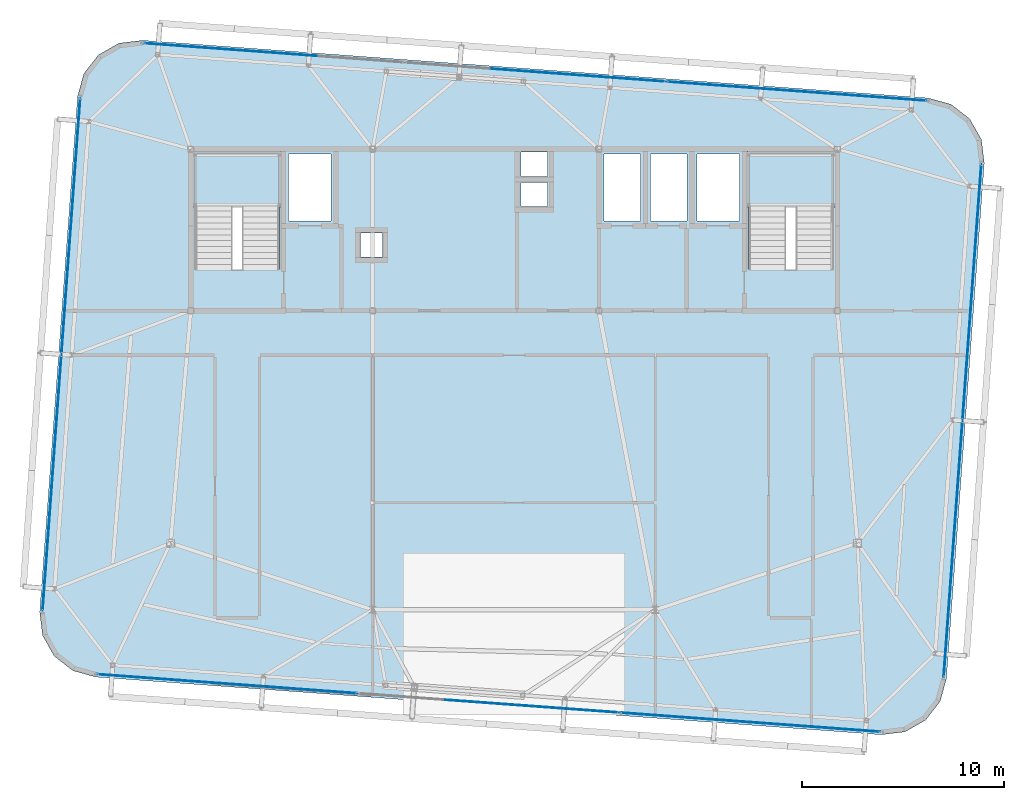
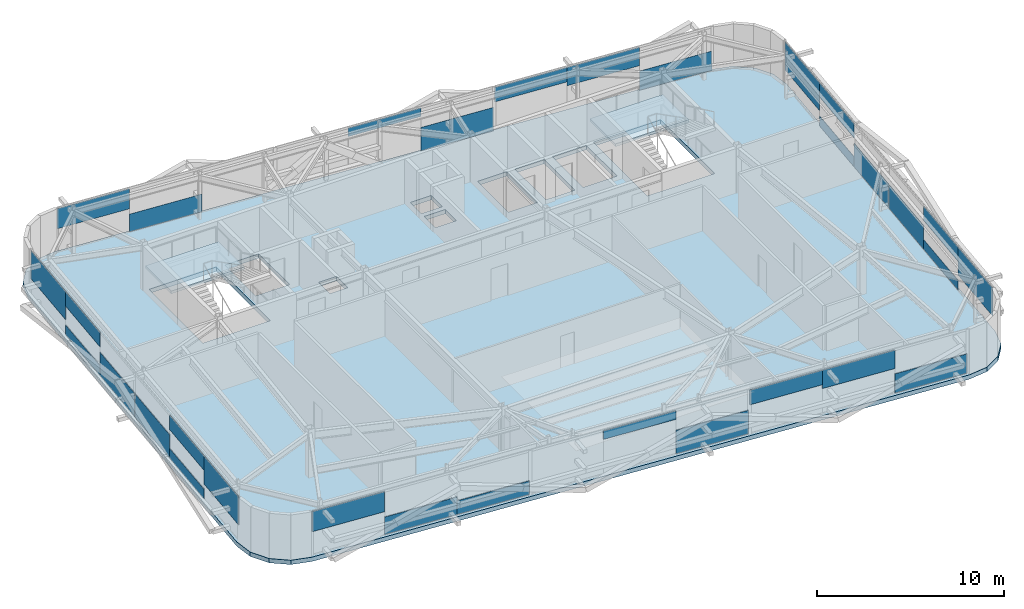
# One storey, part 23 of 35: 31 plates, 3 slabs, 6 elements without a shape of their own.
"""IFC4 building model written with IfcOpenShell, lengths in metres."""

import ifcopenshell
import ifcopenshell.guid

model = None  # the IFC model being written
_history = None  # IfcOwnerHistory: only IFC2X3 demands one
_inside = {}  # id of a spatial element -> (the spatial element, [elements in it])
_under = {}  # id of a project, library or spatial element -> (it, [spatial elements below it])
_declared = {}  # id of a project -> (the project, [libraries it declares])
_typed = {}  # id of a type object -> (the type object, [elements of that type])
_made_of = {}  # id of a material, layer set ... -> (it, [elements and type objects made of it])


def new_model(schema):
    """Start an empty IFC model of exactly this schema.

    Asked for "IFC4X3", IfcOpenShell would pick the latest addendum, in which some entities
    have other attributes; the version numbers below select the first issue.
    IFC2X3 requires an IfcOwnerHistory on every rooted entity: one is made here for all.
    """
    global model, _history
    if schema == "IFC4X3":
        model = ifcopenshell.file(schema_version=(4, 3, 0, 0))
    else:
        model = ifcopenshell.file(schema=schema)
    _inside.clear()
    _under.clear()
    _declared.clear()
    _typed.clear()
    _made_of.clear()
    _history = None
    if model.schema == "IFC2X3":
        org = make("IfcOrganization", Name="unknown")
        user = make(
            "IfcPersonAndOrganization",
            ThePerson=make("IfcPerson", FamilyName="unknown"),
            TheOrganization=org,
        )
        app = make(
            "IfcApplication",
            ApplicationDeveloper=org,
            Version="unknown",
            ApplicationFullName="unknown",
            ApplicationIdentifier="unknown",
        )
        _history = make(
            "IfcOwnerHistory",
            OwningUser=user,
            OwningApplication=app,
            ChangeAction="ADDED",
            CreationDate=0,
        )
    return model


def make(cls, **values):
    """One entity of the class cls with the attributes given. An attribute that is None is left unset."""
    return model.create_entity(
        cls, **{name: value for name, value in values.items() if value is not None}
    )


def rooted(cls, **values):
    """An entity with a GlobalId (a new one), such as an element, a storey or a relation."""
    return make(cls, GlobalId=ifcopenshell.guid.new(), OwnerHistory=_history, **values)


def si_unit(unit_type, name, prefix=None):
    """IfcSIUnit, for example si_unit("LENGTHUNIT", "METRE", prefix="MILLI")."""
    return make("IfcSIUnit", UnitType=unit_type, Prefix=prefix, Name=name)


def assignment(units):
    """IfcUnitAssignment: the units of a project."""
    return None if units is None else make("IfcUnitAssignment", Units=units)


def point(xyz):
    """IfcCartesianPoint."""
    return None if xyz is None else make("IfcCartesianPoint", Coordinates=xyz)


def direction(xyz):
    """IfcDirection."""
    return None if xyz is None else make("IfcDirection", DirectionRatios=xyz)


def frame(location, z_axis=None, x_axis=None):
    """IfcAxis2Placement3D, a coordinate frame: its origin and axes. An axis left out is left unset."""
    return make(
        "IfcAxis2Placement3D",
        Location=point(location),
        Axis=direction(z_axis),
        RefDirection=direction(x_axis),
    )


def frame_2d(location, x_axis=None):
    """IfcAxis2Placement2D, a coordinate frame in the plane: its origin and x axis."""
    return make(
        "IfcAxis2Placement2D", Location=point(location), RefDirection=direction(x_axis)
    )


def origin():
    """The frame at (0, 0, 0) with its axes left unset."""
    return frame((0.0, 0.0, 0.0))


def origin_2d():
    """The frame at (0, 0) in the plane with its x axis left unset."""
    return frame_2d((0.0, 0.0))


def place(relative_to, where):
    """IfcLocalPlacement: puts the frame where relative to a parent placement (None: the world)."""
    return make(
        "IfcLocalPlacement", PlacementRelTo=relative_to, RelativePlacement=where
    )


def context(
    kind, dimensions, precision=None, world=None, true_north=None, identifier=None
):
    """IfcGeometricRepresentationContext, for example the 3D "Model" context."""
    return make(
        "IfcGeometricRepresentationContext",
        ContextIdentifier=identifier,
        ContextType=kind,
        CoordinateSpaceDimension=dimensions,
        Precision=precision,
        WorldCoordinateSystem=world,
        TrueNorth=true_north,
    )


def subcontext(parent, identifier, kind, view, scale=None):
    """IfcGeometricRepresentationSubContext, for example "Body" below "Model"."""
    return make(
        "IfcGeometricRepresentationSubContext",
        ContextIdentifier=identifier,
        ContextType=kind,
        ParentContext=parent,
        TargetScale=scale,
        TargetView=view,
    )


def project(units=None, contexts=None):
    """IfcProject with its units and contexts."""
    return rooted(
        "IfcProject",
        Name="project",
        RepresentationContexts=contexts,
        UnitsInContext=assignment(units),
    )


def spatial(cls, under=None, at=None, **own):
    """A site, building, storey or space (cls), placed at a placement, below another one or the project."""
    s = rooted(cls, ObjectPlacement=at, **own)
    if under is not None:
        _under.setdefault(under.id(), (under, []))[1].append(s)
    return s


def polyline(points):
    """IfcPolyline through the points."""
    return make("IfcPolyline", Points=[point(p) for p in points])


def profile(cls, at=None, kind="AREA", **sizes):
    """A parametric profile (cls). Its sizes go by their IFC names, for example OverallWidth=200.0."""
    return make(cls, ProfileType=kind, Position=at, **sizes)


def rectangle(**sizes):
    """IfcRectangleProfileDef."""
    return profile("IfcRectangleProfileDef", **sizes)


def outline(outer, holes=None, kind="AREA"):
    """IfcArbitraryClosedProfileDef: a profile drawn as a closed curve; with holes, ...WithVoids."""
    if holes is None:
        return make("IfcArbitraryClosedProfileDef", ProfileType=kind, OuterCurve=outer)
    return make(
        "IfcArbitraryProfileDefWithVoids",
        ProfileType=kind,
        OuterCurve=outer,
        InnerCurves=holes,
    )


def extrude(swept, where, along, depth):
    """IfcExtrudedAreaSolid: the profile swept, set in the frame where, extruded along a direction by depth."""
    return make(
        "IfcExtrudedAreaSolid",
        SweptArea=swept,
        Position=where,
        ExtrudedDirection=direction(along),
        Depth=depth,
    )


def shape(context_of_items, identifier, shape_type, items):
    """IfcShapeRepresentation: the items that make up one representation, for example the "Body"."""
    return make(
        "IfcShapeRepresentation",
        ContextOfItems=context_of_items,
        RepresentationIdentifier=identifier,
        RepresentationType=shape_type,
        Items=items,
    )


def source(mapping_origin, context_of_items, identifier, shape_type, items):
    """IfcRepresentationMap: a shape defined once, which mapped items show again and again."""
    return make(
        "IfcRepresentationMap",
        MappingOrigin=mapping_origin,
        MappedRepresentation=shape(context_of_items, identifier, shape_type, items),
    )


def transform(
    local_origin,
    x_axis=None,
    y_axis=None,
    z_axis=None,
    scale=None,
    scale2=None,
    scale3=None,
    uniform=True,
):
    """IfcCartesianTransformationOperator3D, or its non-uniform kind. x_axis, y_axis, z_axis: its Axis1, 2, 3."""
    if uniform:
        return make(
            "IfcCartesianTransformationOperator3D",
            Axis1=direction(x_axis),
            Axis2=direction(y_axis),
            LocalOrigin=point(local_origin),
            Scale=scale,
            Axis3=direction(z_axis),
        )
    return make(
        "IfcCartesianTransformationOperator3DnonUniform",
        Axis1=direction(x_axis),
        Axis2=direction(y_axis),
        LocalOrigin=point(local_origin),
        Scale=scale,
        Axis3=direction(z_axis),
        Scale2=scale2,
        Scale3=scale3,
    )


def mapped(mapping_source, mapping_target):
    """IfcMappedItem: shows the shape of a source again, moved by a transform."""
    return make(
        "IfcMappedItem", MappingSource=mapping_source, MappingTarget=mapping_target
    )


def material(Name=None, Category=None):
    """IfcMaterial."""
    return make("IfcMaterial", Name=Name, Category=Category)


def layer(
    of_material, thickness, ventilated=None, Name=None, Category=None, Priority=None
):
    """IfcMaterialLayer: one layer of a wall or slab, of a material (None: an air gap)."""
    return make(
        "IfcMaterialLayer",
        Material=of_material,
        LayerThickness=thickness,
        IsVentilated=ventilated,
        Name=Name,
        Category=Category,
        Priority=Priority,
    )


def layer_set(layers, Name=None):
    """IfcMaterialLayerSet."""
    return make("IfcMaterialLayerSet", MaterialLayers=layers, LayerSetName=Name)


def made_of(thing, what):
    """Note that an element or type object is made of a material, layer set ...; save() writes the relation."""
    if what is not None:
        _made_of.setdefault(what.id(), (what, []))[1].append(thing)
    return thing


def type_object(cls, material=None, **own):
    """A type object (cls), such as IfcWallType, which elements share."""
    return made_of(rooted(cls, **own), material)


def element(
    cls,
    number,
    at=None,
    inside=None,
    cuts=None,
    type_object=None,
    material=None,
    context=None,
    identifier="Body",
    shape_type=None,
    held_by="IfcProductDefinitionShape",
    body=None,
    shapes=None,
    **own,
):
    """One element of the class cls, such as IfcWall. Its Tag is "e" and its number.

    at: its placement. inside: the storey or other place that contains it. cuts: it is an
    opening in that element (IfcRelVoidsElement). A single representation is given by context,
    identifier, shape_type and body (its items); several are given by shapes. held_by: the class
    of the entity that holds the representations. save() writes the other relations.
    """
    e = rooted(cls, Tag="e%d" % number, ObjectPlacement=at, **own)
    if body is not None:
        shapes = [shape(context, identifier, shape_type, body)]
    if shapes is not None:
        e.Representation = make(held_by, Representations=shapes)
    if inside is not None:
        _inside.setdefault(inside.id(), (inside, []))[1].append(e)
    if cuts is not None:
        rooted(
            "IfcRelVoidsElement", RelatingBuildingElement=cuts, RelatedOpeningElement=e
        )
    if type_object is not None:
        _typed.setdefault(type_object.id(), (type_object, []))[1].append(e)
    return made_of(e, material)


def aggregate(whole, parts):
    """IfcRelAggregates: a whole, such as a stair, and the parts it consists of."""
    return rooted("IfcRelAggregates", RelatingObject=whole, RelatedObjects=parts)


def save(model, path):
    """Write the relations noted so far, then the file.

    IfcRelAggregates (storeys below a building ...), IfcRelContainedInSpatialStructure (elements
    in a storey), IfcRelDefinesByType, IfcRelAssociatesMaterial and IfcRelDeclares: one each for
    every whole, place, type object, material and project.
    """
    for whole, parts in _under.values():
        aggregate(whole, parts)
    for where, things in _inside.values():
        rooted(
            "IfcRelContainedInSpatialStructure",
            RelatedElements=things,
            RelatingStructure=where,
        )
    for kind, things in _typed.values():
        rooted("IfcRelDefinesByType", RelatedObjects=things, RelatingType=kind)
    for what, things in _made_of.values():
        rooted("IfcRelAssociatesMaterial", RelatedObjects=things, RelatingMaterial=what)
    for by, libraries in _declared.values():
        rooted("IfcRelDeclares", RelatingContext=by, RelatedDefinitions=libraries)
    model.write(path)


model = new_model("IFC4")

# Units and contexts
model_context = context("Model", 3, precision=1e-05, world=origin(), true_north=direction((0.0, 1.0)))
body_context = subcontext(model_context, "Body", "Model", "MODEL_VIEW")
ifc_project = project(units=[si_unit("LENGTHUNIT", "METRE"), si_unit("AREAUNIT", "SQUARE_METRE"), si_unit("VOLUMEUNIT", "CUBIC_METRE"), si_unit("PLANEANGLEUNIT", "RADIAN"), si_unit("MASSUNIT", "GRAM", prefix="KILO")], contexts=[model_context])

# Site, building, storey
site_placement = place(None, origin())
site = spatial("IfcSite", under=ifc_project, at=site_placement, CompositionType="ELEMENT")
building_placement = place(site_placement, origin())
building = spatial("IfcBuilding", under=site, at=building_placement, Name="Taldren Reach Tower", CompositionType="ELEMENT")
storey_placement = place(building_placement, frame((0.0, 0.0, 236.60009765625)))
storey = spatial("IfcBuildingStorey", under=building, at=storey_placement, Name="L72", CompositionType="ELEMENT", Elevation=236.60009765625)

# Slab
ifc_material_1 = material(Name="Concrete S50 (50 MPa)", Category="concrete")
ifc_layer_1 = layer(ifc_material_1, 0.280029296875)
ifc_layer_set_1 = layer_set([ifc_layer_1], Name="Concrete S50 (50 MPa)")
slab_type_1 = type_object("IfcSlabType", Name="SL-FLR-280", PredefinedType="FLOOR", material=ifc_layer_set_1)
slab_1_placement = place(storey_placement, frame((0.0, 0.0, -0.280029296875)))
element("IfcSlab", 1, at=slab_1_placement, inside=storey, type_object=slab_type_1, Name="Suspended floor slab L72", PredefinedType="FLOOR", context=body_context, shape_type="SweptSolid", body=[
    extrude(outline(polyline([(53.1904296875, 3.014404296875), (54.35205078125, 3.157958984375), (55.370361328125, 3.7353515625), (56.09033203125, 4.658203125), (56.402099609375, 5.78662109375), (58.277099609375, 31.31787109375), (58.13330078125, 32.4794921875), (57.55615234375, 33.497802734375), (56.633056640625, 34.217529296875), (55.5048828125, 34.529541015625), (16.609619140625, 37.3857421875), (15.44775390625, 37.241943359375), (14.429443359375, 36.664794921875), (13.709716796875, 35.74169921875), (13.39794921875, 34.613525390625), (11.52294921875, 9.082275390625), (11.666748046875, 7.920654296875), (12.243896484375, 6.90234375), (13.1669921875, 6.182373046875), (14.295166015625, 5.87060546875), (53.1904296875, 3.014404296875)]), holes=[polyline([(19.219970703125, 26.050048828125), (23.3798828125, 26.050048828125), (23.3798828125, 31.820068359375), (19.219970703125, 31.820068359375), (19.219970703125, 26.050048828125)]), polyline([(46.6201171875, 26.050048828125), (50.780029296875, 26.050048828125), (50.780029296875, 31.820068359375), (46.6201171875, 31.820068359375), (46.6201171875, 26.050048828125)]), polyline([(23.85009765625, 28.449951171875), (25.949951171875, 28.449951171875), (25.949951171875, 31.75), (23.85009765625, 31.75), (23.85009765625, 28.449951171875)]), polyline([(44.050048828125, 28.449951171875), (46.14990234375, 28.449951171875), (46.14990234375, 31.75), (44.050048828125, 31.75), (44.050048828125, 28.449951171875)]), polyline([(39.449951171875, 28.449951171875), (41.25, 28.449951171875), (41.25, 31.75), (39.449951171875, 31.75), (39.449951171875, 28.449951171875)]), polyline([(41.75, 28.449951171875), (43.550048828125, 28.449951171875), (43.550048828125, 31.75), (41.75, 31.75), (41.75, 28.449951171875)]), polyline([(35.35009765625, 30.64990234375), (36.64990234375, 30.64990234375), (36.64990234375, 31.85009765625), (35.35009765625, 31.85009765625), (35.35009765625, 30.64990234375)]), polyline([(35.35009765625, 29.14990234375), (36.64990234375, 29.14990234375), (36.64990234375, 30.35009765625), (35.35009765625, 30.35009765625), (35.35009765625, 29.14990234375)]), polyline([(27.39990234375, 26.64990234375), (28.5, 26.64990234375), (28.5, 27.85009765625), (27.39990234375, 27.85009765625), (27.39990234375, 26.64990234375)])]), origin(), (0.0, 0.0, 1.0), 0.280029296875),
])

# Stair, slab
stair_type = type_object("IfcStairType", Name="ST-HT-315", PredefinedType="HALF_TURN_STAIR", material=ifc_material_1)
stair_1_placement = place(storey_placement, origin())
stair_1 = element("IfcStair", 2, at=stair_1_placement, inside=storey, type_object=stair_type, Name="Fire-isolated exit stair ST1 L72", PredefinedType="HALF_TURN_STAIR")
ifc_layer_2 = layer(ifc_material_1, 0.179931640625)
ifc_layer_set_2 = layer_set([ifc_layer_2], Name="Concrete S50 (50 MPa)")
slab_type_2 = type_object("IfcSlabType", Name="SL-LAND-180", PredefinedType="LANDING", material=ifc_layer_set_2)
slab_2_placement = place(storey_placement, frame((0.0, 0.0, 1.39501953125)))
slab_2 = element("IfcSlab", 3, at=slab_2_placement, type_object=slab_type_2, Name="ST1 landing 1", PredefinedType="LANDING", context=body_context, shape_type="SweptSolid", body=[
    extrude(outline(polyline([(19.0400390625, 29.135009765625), (23.56005859375, 29.135009765625), (23.56005859375, 31.8701171875), (19.0400390625, 31.8701171875), (19.0400390625, 29.135009765625)])), origin(), (0.0, 0.0, 1.0), 0.179931640625),
])
aggregate(stair_1, [slab_2])

stair_2_placement = place(storey_placement, origin())
stair_2 = element("IfcStair", 4, at=stair_2_placement, inside=storey, type_object=stair_type, Name="Fire-isolated exit stair ST2 L72", PredefinedType="HALF_TURN_STAIR")
slab_3_placement = place(storey_placement, frame((0.0, 0.0, 1.39501953125)))
slab_3 = element("IfcSlab", 5, at=slab_3_placement, type_object=slab_type_2, Name="ST2 landing 1", PredefinedType="LANDING", context=body_context, shape_type="SweptSolid", body=[
    extrude(outline(polyline([(46.43994140625, 29.135009765625), (50.9599609375, 29.135009765625), (50.9599609375, 31.8701171875), (46.43994140625, 31.8701171875), (46.43994140625, 29.135009765625)])), origin(), (0.0, 0.0, 1.0), 0.179931640625),
])
aggregate(stair_2, [slab_3])

# Curtain wall, plate
ifc_material_2 = material(Name="Aluminium and Low-E Glass Unitised System", Category="aluminium")
ifc_layer_3 = layer(ifc_material_2, 0.159912109375)
ifc_layer_set_3 = layer_set([ifc_layer_3], Name="Aluminium and Low-E Glass Unitised System")
curtain_wall_type = type_object("IfcCurtainWallType", Name="CW-SYS-6", PredefinedType="NOTDEFINED", material=ifc_layer_set_3)
curtain_wall_1_placement = place(storey_placement, origin())
curtain_wall_1 = element("IfcCurtainWall", 6, at=curtain_wall_1_placement, inside=storey, type_object=curtain_wall_type, Name="Unitised curtain wall CW-L72-S", PredefinedType="NOTDEFINED")
ifc_material_3 = material(Name="Acoustic Triple-Laminated IGU", Category="glass")
ifc_layer_4 = layer(ifc_material_3, 0.035888671875)
ifc_layer_set_4 = layer_set([ifc_layer_4], Name="Acoustic Triple-Laminated IGU")
plate_type = type_object("IfcPlateType", Name="CW-PNL-IGU36", PredefinedType="CURTAIN_PANEL", material=ifc_layer_set_4)
shared_shape_1 = source(origin(), body_context, "Body", "SweptSolid", [
    extrude(rectangle(XDim=4.2958984375, YDim=0.035888671875, at=origin_2d()), origin(), (0.0, 0.0, 1.0), 1.314208984375),
])
plate_1_placement = place(storey_placement, frame((16.5224609375, 5.847412109375, 1.5556640625), z_axis=(0.0, 0.0, 1.0), x_axis=(0.997314476006, -0.073238213716, 0.0)))
plate_1 = element("IfcPlate", 7, at=plate_1_placement, type_object=plate_type, Name="CW-6 panel 1.1 part 1", PredefinedType="CURTAIN_PANEL", context=body_context, shape_type="MappedRepresentation", body=[
    mapped(shared_shape_1, transform((0.0, 0.0, 0.0), scale=1.0)),
])

curtain_wall_2_placement = place(storey_placement, origin())
curtain_wall_2 = element("IfcCurtainWall", 8, at=curtain_wall_2_placement, inside=storey, type_object=curtain_wall_type, Name="Unitised curtain wall CW-L72-N", PredefinedType="NOTDEFINED")
plate_2_placement = place(storey_placement, frame((18.816162109375, 37.083251953125, 1.5556640625), z_axis=(0.0, 0.0, 1.0), x_axis=(-0.997314476006, 0.073238213716, 0.0)))
plate_2 = element("IfcPlate", 9, at=plate_2_placement, type_object=plate_type, Name="CW-6 panel 3.1 part 2", PredefinedType="CURTAIN_PANEL", context=body_context, shape_type="MappedRepresentation", body=[
    mapped(shared_shape_1, transform((0.0, 0.0, 0.0), scale=1.0)),
])

# Plate
shared_shape_2 = source(origin(), body_context, "Body", "SweptSolid", [
    extrude(rectangle(XDim=4.2958984375, YDim=0.035888671875, at=origin_2d()), origin(), (0.0, 0.0, 1.0), 1.144287109375),
])
plate_3_placement = place(storey_placement, frame((20.806640625, 5.53271484375, 0.06005859375), z_axis=(0.0, 0.0, 1.0), x_axis=(0.997314476006, -0.073238213716, 0.0)))
plate_3 = element("IfcPlate", 10, at=plate_3_placement, type_object=plate_type, Name="CW-6 panel 1.1 part 2", PredefinedType="CURTAIN_PANEL", context=body_context, shape_type="MappedRepresentation", body=[
    mapped(shared_shape_2, transform((0.0, 0.0, 0.0), scale=1.0)),
])

plate_4_placement = place(storey_placement, frame((23.1005859375, 36.7685546875, 0.06005859375), z_axis=(0.0, 0.0, 1.0), x_axis=(-0.997314476006, 0.073238213716, 0.0)))
plate_4 = element("IfcPlate", 11, at=plate_4_placement, type_object=plate_type, Name="CW-6 panel 3.1 part 1", PredefinedType="CURTAIN_PANEL", context=body_context, shape_type="MappedRepresentation", body=[
    mapped(shared_shape_2, transform((0.0, 0.0, 0.0), scale=1.0)),
])

shared_shape_3 = source(origin(), body_context, "Body", "SweptSolid", [
    extrude(rectangle(XDim=4.2958984375, YDim=0.035888671875, at=origin_2d()), origin(), (0.0, 0.0, 1.0), 0.89306640625),
])
plate_5_placement = place(storey_placement, frame((25.091064453125, 5.21826171875, 0.059814453125), z_axis=(0.0, 0.0, 1.0), x_axis=(0.997314476006, -0.073238213716, 0.0)))
plate_5 = element("IfcPlate", 12, at=plate_5_placement, type_object=plate_type, Name="CW-6 panel 1.1 part 3", PredefinedType="CURTAIN_PANEL", context=body_context, shape_type="MappedRepresentation", body=[
    mapped(shared_shape_3, transform((0.0, 0.0, 0.0), scale=1.0)),
])

shared_shape_4 = source(origin(), body_context, "Body", "SweptSolid", [
    extrude(rectangle(XDim=4.308349609375, YDim=0.035888671875, at=origin_2d()), origin(), (0.0, 0.0, 1.0), 0.559326171875),
])
plate_6_placement = place(storey_placement, frame((33.753173828125, 4.58203125, 2.310546875), z_axis=(0.0, 0.0, 1.0), x_axis=(0.997314476006, -0.073238213716, 0.0)))
plate_6 = element("IfcPlate", 13, at=plate_6_placement, type_object=plate_type, Name="CW-6 panel 2.1 part 1", PredefinedType="CURTAIN_PANEL", context=body_context, shape_type="MappedRepresentation", body=[
    mapped(shared_shape_4, transform((0.0, 0.0, 0.0), scale=1.0)),
])

plate_7_placement = place(storey_placement, frame((36.046875, 35.81787109375, 2.310546875), z_axis=(0.0, 0.0, 1.0), x_axis=(-0.997314476006, 0.073238213716, 0.0)))
plate_7 = element("IfcPlate", 14, at=plate_7_placement, type_object=plate_type, Name="CW-6 panel 2.1 part 2", PredefinedType="CURTAIN_PANEL", context=body_context, shape_type="MappedRepresentation", body=[
    mapped(shared_shape_4, transform((0.0, 0.0, 0.0), scale=1.0)),
])

shared_shape_5 = source(origin(), body_context, "Body", "SweptSolid", [
    extrude(rectangle(XDim=4.308349609375, YDim=0.035888671875, at=origin_2d()), origin(), (0.0, 0.0, 1.0), 1.52978515625),
])
plate_8_placement = place(storey_placement, frame((38.0498046875, 4.2666015625, 0.059814453125), z_axis=(0.0, 0.0, 1.0), x_axis=(0.997314476006, -0.073238213716, 0.0)))
plate_8 = element("IfcPlate", 15, at=plate_8_placement, type_object=plate_type, Name="CW-6 panel 2.1 part 2", PredefinedType="CURTAIN_PANEL", context=body_context, shape_type="MappedRepresentation", body=[
    mapped(shared_shape_5, transform((0.0, 0.0, 0.0), scale=1.0)),
])

plate_9_placement = place(storey_placement, frame((40.34375, 35.50244140625, 0.059814453125), z_axis=(0.0, 0.0, 1.0), x_axis=(-0.997314476006, 0.073238213716, 0.0)))
plate_9 = element("IfcPlate", 16, at=plate_9_placement, type_object=plate_type, Name="CW-6 panel 2.1 part 1", PredefinedType="CURTAIN_PANEL", context=body_context, shape_type="MappedRepresentation", body=[
    mapped(shared_shape_5, transform((0.0, 0.0, 0.0), scale=1.0)),
])

shared_shape_6 = source(origin(), body_context, "Body", "SweptSolid", [
    extrude(rectangle(XDim=4.2958984375, YDim=0.035888671875, at=origin_2d()), origin(), (0.0, 0.0, 1.0), 0.952880859375),
])
plate_10_placement = place(storey_placement, frame((42.415283203125, 3.946044921875, 1.9169921875), z_axis=(0.0, 0.0, 1.0), x_axis=(0.997314476006, -0.073238213716, 0.0)))
plate_10 = element("IfcPlate", 17, at=plate_10_placement, type_object=plate_type, Name="CW-6 panel 3.1 part 1", PredefinedType="CURTAIN_PANEL", context=body_context, shape_type="MappedRepresentation", body=[
    mapped(shared_shape_6, transform((0.0, 0.0, 0.0), scale=1.0)),
])

plate_11_placement = place(storey_placement, frame((44.708984375, 35.181884765625, 1.9169921875), z_axis=(0.0, 0.0, 1.0), x_axis=(-0.997314476006, 0.073238213716, 0.0)))
plate_11 = element("IfcPlate", 18, at=plate_11_placement, type_object=plate_type, Name="CW-6 panel 1.1 part 3", PredefinedType="CURTAIN_PANEL", context=body_context, shape_type="MappedRepresentation", body=[
    mapped(shared_shape_6, transform((0.0, 0.0, 0.0), scale=1.0)),
])

shared_shape_7 = source(origin(), body_context, "Body", "SweptSolid", [
    extrude(rectangle(XDim=4.2958984375, YDim=0.035888671875, at=origin_2d()), origin(), (0.0, 0.0, 1.0), 1.2041015625),
])
plate_12_placement = place(storey_placement, frame((46.699462890625, 3.63134765625, 1.665771484375), z_axis=(0.0, 0.0, 1.0), x_axis=(0.997314476006, -0.073238213716, 0.0)))
plate_12 = element("IfcPlate", 19, at=plate_12_placement, type_object=plate_type, Name="CW-6 panel 3.1 part 2", PredefinedType="CURTAIN_PANEL", context=body_context, shape_type="MappedRepresentation", body=[
    mapped(shared_shape_7, transform((0.0, 0.0, 0.0), scale=1.0)),
])

plate_13_placement = place(storey_placement, frame((48.993408203125, 34.8671875, 1.665771484375), z_axis=(0.0, 0.0, 1.0), x_axis=(-0.997314476006, 0.073238213716, 0.0)))
plate_13 = element("IfcPlate", 20, at=plate_13_placement, type_object=plate_type, Name="CW-6 panel 1.1 part 2", PredefinedType="CURTAIN_PANEL", context=body_context, shape_type="MappedRepresentation", body=[
    mapped(shared_shape_7, transform((0.0, 0.0, 0.0), scale=1.0)),
])

shared_shape_8 = source(origin(), body_context, "Body", "SweptSolid", [
    extrude(rectangle(XDim=4.2958984375, YDim=0.035888671875, at=origin_2d()), origin(), (0.0, 0.0, 1.0), 1.254150390625),
])
plate_14_placement = place(storey_placement, frame((50.98388671875, 3.316650390625, 0.06005859375), z_axis=(0.0, 0.0, 1.0), x_axis=(0.997314476006, -0.073238213716, 0.0)))
plate_14 = element("IfcPlate", 21, at=plate_14_placement, type_object=plate_type, Name="CW-6 panel 3.1 part 3", PredefinedType="CURTAIN_PANEL", context=body_context, shape_type="MappedRepresentation", body=[
    mapped(shared_shape_8, transform((0.0, 0.0, 0.0), scale=1.0)),
])

aggregate(curtain_wall_1, [plate_1, plate_3, plate_5, plate_6, plate_8, plate_10, plate_12, plate_14])

plate_15_placement = place(storey_placement, frame((53.277587890625, 34.552490234375, 0.06005859375), z_axis=(0.0, 0.0, 1.0), x_axis=(-0.997314476006, 0.073238213716, 0.0)))
plate_15 = element("IfcPlate", 22, at=plate_15_placement, type_object=plate_type, Name="CW-6 panel 1.1 part 1", PredefinedType="CURTAIN_PANEL", context=body_context, shape_type="MappedRepresentation", body=[
    mapped(shared_shape_8, transform((0.0, 0.0, 0.0), scale=1.0)),
])

aggregate(curtain_wall_2, [plate_15, plate_13, plate_11, plate_9, plate_7, plate_4, plate_2])

# Curtain wall, plates
curtain_wall_3_placement = place(storey_placement, origin())
curtain_wall_3 = element("IfcCurtainWall", 23, at=curtain_wall_3_placement, inside=storey, type_object=curtain_wall_type, Name="Unitised curtain wall CW-L72-W", PredefinedType="NOTDEFINED")
shared_shape_9 = source(origin(), body_context, "Body", "SweptSolid", [
    extrude(rectangle(XDim=4.229248046875, YDim=0.035888671875, at=origin_2d()), origin(), (0.0, 0.0, 1.0), 1.82861328125),
])
plate_16_placement = place(storey_placement, frame((13.377197265625, 32.41943359375, 1.041259765625), z_axis=(0.0, 0.0, 1.0), x_axis=(-0.073238282558, -0.997314470951, 0.0)))
plate_16 = element("IfcPlate", 24, at=plate_16_placement, type_object=plate_type, Name="CW-6 panel 1.1 part 1", PredefinedType="CURTAIN_PANEL", context=body_context, shape_type="MappedRepresentation", body=[
    mapped(shared_shape_9, transform((0.0, 0.0, 0.0), scale=1.0)),
])
plate_17_placement = place(storey_placement, frame((11.822998046875, 11.255615234375, 1.041259765625), z_axis=(0.0, 0.0, 1.0), x_axis=(-0.073238282558, -0.997314470951, 0.0)))
plate_17 = element("IfcPlate", 25, at=plate_17_placement, type_object=plate_type, Name="CW-6 panel 2.1 part 4", PredefinedType="CURTAIN_PANEL", context=body_context, shape_type="MappedRepresentation", body=[
    mapped(shared_shape_9, transform((0.0, 0.0, 0.0), scale=1.0)),
])

curtain_wall_4_placement = place(storey_placement, origin())
curtain_wall_4 = element("IfcCurtainWall", 26, at=curtain_wall_4_placement, inside=storey, type_object=curtain_wall_type, Name="Unitised curtain wall CW-L72-E", PredefinedType="NOTDEFINED")
plate_18_placement = place(storey_placement, frame((56.4228515625, 7.98046875, 1.041259765625), z_axis=(0.0, 0.0, 1.0), x_axis=(0.073238282558, 0.997314470951, 0.0)))
plate_18 = element("IfcPlate", 27, at=plate_18_placement, type_object=plate_type, Name="CW-6 panel 1.1 part 1", PredefinedType="CURTAIN_PANEL", context=body_context, shape_type="MappedRepresentation", body=[
    mapped(shared_shape_9, transform((0.0, 0.0, 0.0), scale=1.0)),
])
plate_19_placement = place(storey_placement, frame((57.97705078125, 29.144287109375, 1.041259765625), z_axis=(0.0, 0.0, 1.0), x_axis=(0.073238282558, 0.997314470951, 0.0)))
plate_19 = element("IfcPlate", 28, at=plate_19_placement, type_object=plate_type, Name="CW-6 panel 2.1 part 4", PredefinedType="CURTAIN_PANEL", context=body_context, shape_type="MappedRepresentation", body=[
    mapped(shared_shape_9, transform((0.0, 0.0, 0.0), scale=1.0)),
])

# Plate
shared_shape_10 = source(origin(), body_context, "Body", "SweptSolid", [
    extrude(rectangle(XDim=4.229248046875, YDim=0.035888671875, at=origin_2d()), origin(), (0.0, 0.0, 1.0), 0.63916015625),
])
plate_20_placement = place(storey_placement, frame((13.0673828125, 28.20166015625, 0.06005859375), z_axis=(0.0, 0.0, 1.0), x_axis=(-0.073238282558, -0.997314470951, 0.0)))
plate_20 = element("IfcPlate", 29, at=plate_20_placement, type_object=plate_type, Name="CW-6 panel 1.1 part 2", PredefinedType="CURTAIN_PANEL", context=body_context, shape_type="MappedRepresentation", body=[
    mapped(shared_shape_10, transform((0.0, 0.0, 0.0), scale=1.0)),
])

plate_21_placement = place(storey_placement, frame((12.1328125, 15.473388671875, 0.06005859375), z_axis=(0.0, 0.0, 1.0), x_axis=(-0.073238282558, -0.997314470951, 0.0)))
plate_21 = element("IfcPlate", 30, at=plate_21_placement, type_object=plate_type, Name="CW-6 panel 2.1 part 2", PredefinedType="CURTAIN_PANEL", context=body_context, shape_type="MappedRepresentation", body=[
    mapped(shared_shape_10, transform((0.0, 0.0, 0.0), scale=1.0)),
])

plate_22_placement = place(storey_placement, frame((56.732666015625, 12.1982421875, 0.06005859375), z_axis=(0.0, 0.0, 1.0), x_axis=(0.073238282558, 0.997314470951, 0.0)))
plate_22 = element("IfcPlate", 31, at=plate_22_placement, type_object=plate_type, Name="CW-6 panel 1.1 part 2", PredefinedType="CURTAIN_PANEL", context=body_context, shape_type="MappedRepresentation", body=[
    mapped(shared_shape_10, transform((0.0, 0.0, 0.0), scale=1.0)),
])

plate_23_placement = place(storey_placement, frame((57.667236328125, 24.926513671875, 0.06005859375), z_axis=(0.0, 0.0, 1.0), x_axis=(0.073238282558, 0.997314470951, 0.0)))
plate_23 = element("IfcPlate", 32, at=plate_23_placement, type_object=plate_type, Name="CW-6 panel 2.1 part 2", PredefinedType="CURTAIN_PANEL", context=body_context, shape_type="MappedRepresentation", body=[
    mapped(shared_shape_10, transform((0.0, 0.0, 0.0), scale=1.0)),
])

shared_shape_11 = source(origin(), body_context, "Body", "SweptSolid", [
    extrude(rectangle(XDim=4.229248046875, YDim=0.035888671875, at=origin_2d()), origin(), (0.0, 0.0, 1.0), 0.94287109375),
])
plate_24_placement = place(storey_placement, frame((13.0673828125, 28.20166015625, 1.927001953125), z_axis=(0.0, 0.0, 1.0), x_axis=(-0.073238282558, -0.997314470951, 0.0)))
plate_24 = element("IfcPlate", 33, at=plate_24_placement, type_object=plate_type, Name="CW-6 panel 1.1 part 3", PredefinedType="CURTAIN_PANEL", context=body_context, shape_type="MappedRepresentation", body=[
    mapped(shared_shape_11, transform((0.0, 0.0, 0.0), scale=1.0)),
])

plate_25_placement = place(storey_placement, frame((12.1328125, 15.473388671875, 1.927001953125), z_axis=(0.0, 0.0, 1.0), x_axis=(-0.073238282558, -0.997314470951, 0.0)))
plate_25 = element("IfcPlate", 34, at=plate_25_placement, type_object=plate_type, Name="CW-6 panel 2.1 part 3", PredefinedType="CURTAIN_PANEL", context=body_context, shape_type="MappedRepresentation", body=[
    mapped(shared_shape_11, transform((0.0, 0.0, 0.0), scale=1.0)),
])

plate_26_placement = place(storey_placement, frame((56.732666015625, 12.1982421875, 1.927001953125), z_axis=(0.0, 0.0, 1.0), x_axis=(0.073238282558, 0.997314470951, 0.0)))
plate_26 = element("IfcPlate", 35, at=plate_26_placement, type_object=plate_type, Name="CW-6 panel 1.1 part 3", PredefinedType="CURTAIN_PANEL", context=body_context, shape_type="MappedRepresentation", body=[
    mapped(shared_shape_11, transform((0.0, 0.0, 0.0), scale=1.0)),
])

plate_27_placement = place(storey_placement, frame((57.667236328125, 24.926513671875, 1.927001953125), z_axis=(0.0, 0.0, 1.0), x_axis=(0.073238282558, 0.997314470951, 0.0)))
plate_27 = element("IfcPlate", 36, at=plate_27_placement, type_object=plate_type, Name="CW-6 panel 2.1 part 3", PredefinedType="CURTAIN_PANEL", context=body_context, shape_type="MappedRepresentation", body=[
    mapped(shared_shape_11, transform((0.0, 0.0, 0.0), scale=1.0)),
])

shared_shape_12 = source(origin(), body_context, "Body", "SweptSolid", [
    extrude(rectangle(XDim=4.229248046875, YDim=0.035888671875, at=origin_2d()), origin(), (0.0, 0.0, 1.0), 1.525146484375),
])
plate_28_placement = place(storey_placement, frame((12.757568359375, 23.98388671875, 0.06005859375), z_axis=(0.0, 0.0, 1.0), x_axis=(-0.073238282558, -0.997314470951, 0.0)))
plate_28 = element("IfcPlate", 37, at=plate_28_placement, type_object=plate_type, Name="CW-6 panel 1.1 part 4", PredefinedType="CURTAIN_PANEL", context=body_context, shape_type="MappedRepresentation", body=[
    mapped(shared_shape_12, transform((0.0, 0.0, 0.0), scale=1.0)),
])

plate_29_placement = place(storey_placement, frame((12.4423828125, 19.69140625, 0.06005859375), z_axis=(0.0, 0.0, 1.0), x_axis=(-0.073238282558, -0.997314470951, 0.0)))
plate_29 = element("IfcPlate", 38, at=plate_29_placement, type_object=plate_type, Name="CW-6 panel 2.1 part 1", PredefinedType="CURTAIN_PANEL", context=body_context, shape_type="MappedRepresentation", body=[
    mapped(shared_shape_12, transform((0.0, 0.0, 0.0), scale=1.0)),
])

aggregate(curtain_wall_3, [plate_16, plate_20, plate_24, plate_28, plate_29, plate_21, plate_25, plate_17])

plate_30_placement = place(storey_placement, frame((57.042236328125, 16.416015625, 0.06005859375), z_axis=(0.0, 0.0, 1.0), x_axis=(0.073238282558, 0.997314470951, 0.0)))
plate_30 = element("IfcPlate", 39, at=plate_30_placement, type_object=plate_type, Name="CW-6 panel 1.1 part 4", PredefinedType="CURTAIN_PANEL", context=body_context, shape_type="MappedRepresentation", body=[
    mapped(shared_shape_12, transform((0.0, 0.0, 0.0), scale=1.0)),
])

plate_31_placement = place(storey_placement, frame((57.357666015625, 20.708740234375, 0.06005859375), z_axis=(0.0, 0.0, 1.0), x_axis=(0.073238282558, 0.997314470951, 0.0)))
plate_31 = element("IfcPlate", 40, at=plate_31_placement, type_object=plate_type, Name="CW-6 panel 2.1 part 1", PredefinedType="CURTAIN_PANEL", context=body_context, shape_type="MappedRepresentation", body=[
    mapped(shared_shape_12, transform((0.0, 0.0, 0.0), scale=1.0)),
])

aggregate(curtain_wall_4, [plate_18, plate_22, plate_26, plate_30, plate_31, plate_23, plate_27, plate_19])

save(model, "model.ifc")
